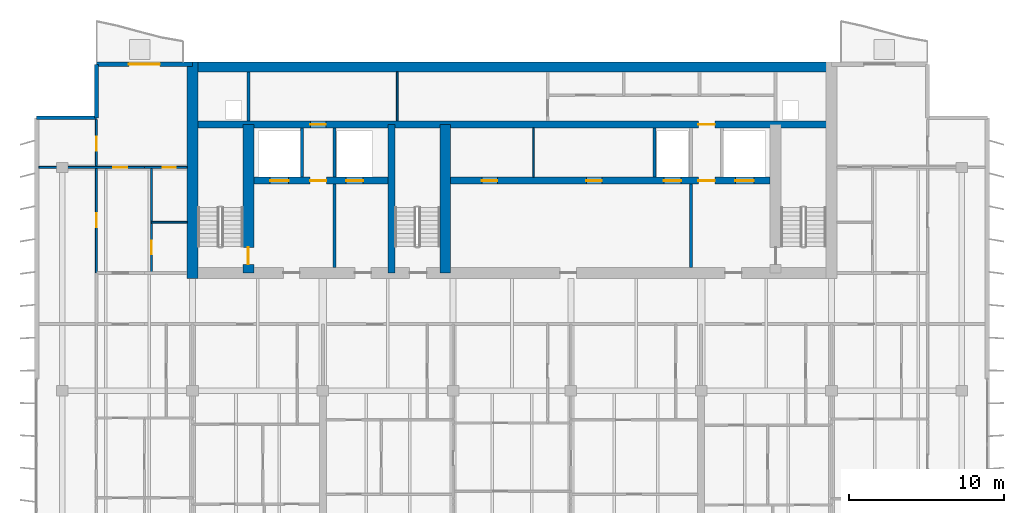
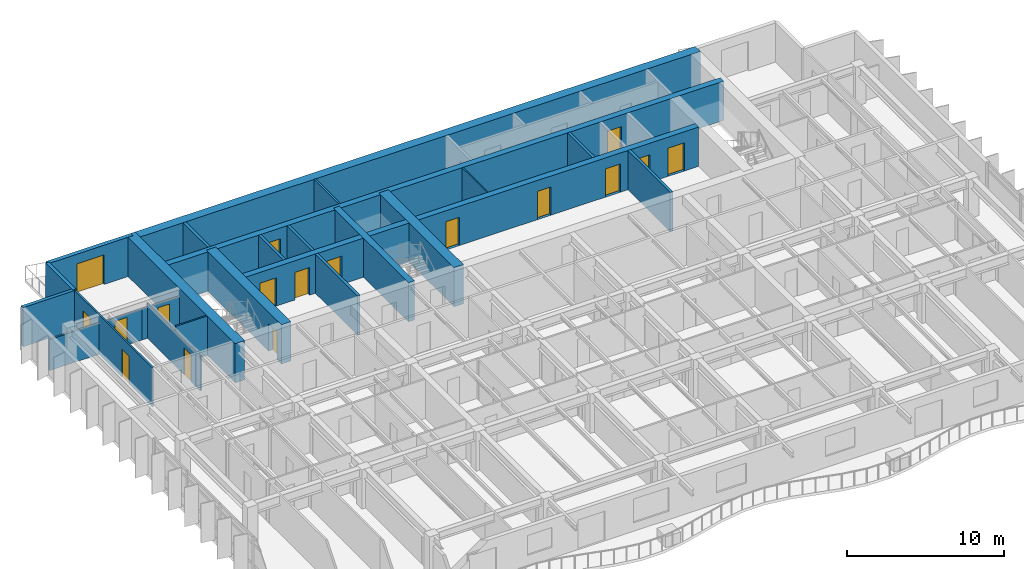
# One storey, part 10 of 17: 23 walls, 17 doors, 17 openings.
"""IFC4 building model written with IfcOpenShell, lengths in metres."""

from ifc_helpers import new_model, si_unit, direction, frame, frame_2d, origin, place, context, subcontext, project, spatial, rectangle, extrude, material, layer, layer_set, type_object, element, fill, save


model = new_model("IFC4")

# Units and contexts
model_context = context("Model", 3, precision=1e-05, world=origin(), true_north=direction((0.0, 1.0)))
body_context = subcontext(model_context, "Body", "Model", "MODEL_VIEW")
ifc_project = project(units=[si_unit("LENGTHUNIT", "METRE"), si_unit("AREAUNIT", "SQUARE_METRE"), si_unit("VOLUMEUNIT", "CUBIC_METRE"), si_unit("PLANEANGLEUNIT", "RADIAN"), si_unit("MASSUNIT", "GRAM", prefix="KILO")], contexts=[model_context])

# Site, building, storey
site_placement = place(None, origin())
site = spatial("IfcSite", under=ifc_project, at=site_placement, CompositionType="ELEMENT")
building_placement = place(site_placement, origin())
building = spatial("IfcBuilding", under=site, at=building_placement, Name="Caelmar Bay Residences", CompositionType="ELEMENT")
storey_placement = place(building_placement, frame((0.0, 0.0, 243.0)))
storey = spatial("IfcBuildingStorey", under=building, at=storey_placement, Name="L68", CompositionType="ELEMENT", Elevation=243.0)

# Wall
ifc_material_1 = material(Name="Concrete f'c 55 MPa (8,000 psi)", Category="concrete")
ifc_layer_1 = layer(ifc_material_1, 0.699951171875)
ifc_layer_set_1 = layer_set([ifc_layer_1], Name="Concrete f'c 55 MPa (8,000 psi)")
wall_type_1 = type_object("IfcWallType", Name="SW-COR-700", PredefinedType="SHEAR", material=ifc_layer_set_1)
wall_1_placement = place(storey_placement, frame((18.300048828125, 36.64990234375, 0.0), z_axis=(0.0, 0.0, 1.0), x_axis=(0.0, 1.0, 0.0)))
element("IfcWall", 1, at=wall_1_placement, inside=storey, type_object=wall_type_1, Name="L68 Rear Core West Shear Wall", PredefinedType="SHEAR", context=body_context, shape_type="SweptSolid", body=[
    extrude(rectangle(XDim=13.9501953125, YDim=0.699951171875, at=frame_2d((6.97509765625, 0.0))), origin(), (0.0, 0.0, 1.0), 3.050048828125),
])

# Wall, opening, door
wall_2_placement = place(storey_placement, frame((21.89990234375, 37.0, 0.0), z_axis=(0.0, 0.0, 1.0), x_axis=(0.0, 1.0, 0.0)))
wall_2 = element("IfcWall", 2, at=wall_2_placement, inside=storey, type_object=wall_type_1, Name="L68 Core Structural Web Wall ST1E", PredefinedType="SHEAR", context=body_context, shape_type="SweptSolid", body=[
    extrude(rectangle(XDim=9.574951171875, YDim=0.699951171875, at=frame_2d((4.78759765625, 0.0))), origin(), (0.0, 0.0, 1.0), 3.050048828125),
])
opening_1_placement = place(wall_2_placement, frame((0.550048828125, 0.0, 0.0)))
opening_1 = element("IfcOpeningElement", 3, at=opening_1_placement, cuts=wall_2, Name="Opening D-L68-107", PredefinedType="OPENING", context=body_context, shape_type="SweptSolid", body=[
    extrude(rectangle(XDim=1.10009765625, YDim=2.14990234375, at=frame_2d((0.550048828125, 1.074951171875))), frame((0.0, 0.35986328125, 0.0), z_axis=(0.0, -1.0, 0.0), x_axis=(1.0, 0.0, 0.0)), (0.0, 0.0, 1.0), 0.719970703125),
])
ifc_material_2 = material(Name="Fire-rated steel and walnut architectural door assembly", Category="steel")
ifc_layer_2 = layer(ifc_material_2, 0.050048828125)
ifc_layer_set_2 = layer_set([ifc_layer_2], Name="Fire-rated steel and walnut architectural door assembly")
door_type_1 = type_object("IfcDoorType", Name="D-STAIR-1100", OperationType="NOTDEFINED", PredefinedType="DOOR", material=ifc_layer_set_2)
door_1_placement = place(opening_1_placement, origin())
door_1 = element("IfcDoor", 4, at=door_1_placement, inside=storey, type_object=door_type_1, Name="L68 Firefighting Lobby West Door", OperationType="SINGLE_SWING_LEFT", OverallHeight=2.14990234375, OverallWidth=1.10009765625, PredefinedType="DOOR", context=body_context, shape_type="SweptSolid", body=[
    extrude(rectangle(XDim=1.10009765625, YDim=2.14990234375, at=frame_2d((0.550048828125, 1.074951171875))), frame((0.0, 0.02490234375, 0.0), z_axis=(0.0, -1.0, 0.0), x_axis=(1.0, 0.0, 0.0)), (0.0, 0.0, 1.0), 0.050048828125),
])
fill(opening_1, door_1)

# Walls
wall_3_placement = place(storey_placement, frame((34.60009765625, 37.0, 0.0), z_axis=(0.0, 0.0, 1.0), x_axis=(0.0, 1.0, 0.0)))
element("IfcWall", 5, at=wall_3_placement, inside=storey, type_object=wall_type_1, Name="L68 Core Structural Web Wall ST3E", PredefinedType="SHEAR", context=body_context, shape_type="SweptSolid", body=[
    extrude(rectangle(XDim=9.574951171875, YDim=0.699951171875, at=frame_2d((4.78759765625, 0.0))), origin(), (0.0, 0.0, 1.0), 3.050048828125),
])
ifc_layer_3 = layer(ifc_material_1, 0.64990234375)
ifc_layer_set_3 = layer_set([ifc_layer_3], Name="Concrete f'c 55 MPa (8,000 psi)")
wall_type_2 = type_object("IfcWallType", Name="SW-CORN-650", PredefinedType="SHEAR", material=ifc_layer_set_3)
wall_4_placement = place(storey_placement, frame((17.949951171875, 50.27490234375, 0.0), z_axis=(0.0, 0.0, 1.0), x_axis=(1.0, 0.0, 0.0)))
element("IfcWall", 6, at=wall_4_placement, inside=storey, type_object=wall_type_2, Name="L68 Rear Core North Shear Wall", PredefinedType="SHEAR", context=body_context, shape_type="SweptSolid", body=[
    extrude(rectangle(XDim=41.900146484375, YDim=0.64990234375, at=frame_2d((20.9501953125, 0.0))), origin(), (0.0, 0.0, 1.0), 3.050048828125),
])
ifc_material_3 = material(Name="Concrete f'c 70 MPa (10,000 psi)", Category="concrete")
ifc_layer_4 = layer(ifc_material_3, 0.449951171875)
ifc_layer_set_4 = layer_set([ifc_layer_4], Name="Concrete f'c 70 MPa (10,000 psi)")
wall_type_3 = type_object("IfcWallType", Name="SW-WEB-450", PredefinedType="SHEAR", material=ifc_layer_set_4)
wall_5_placement = place(storey_placement, frame((31.125, 37.0, 0.0), z_axis=(0.0, 0.0, 1.0), x_axis=(0.0, 1.0, 0.0)))
element("IfcWall", 7, at=wall_5_placement, inside=storey, type_object=wall_type_3, Name="L68 Core Structural Web Wall ST3W", PredefinedType="SHEAR", context=body_context, shape_type="SweptSolid", body=[
    extrude(rectangle(XDim=9.574951171875, YDim=0.449951171875, at=frame_2d((4.78759765625, 0.0))), origin(), (0.0, 0.0, 1.0), 3.050048828125),
])

# Wall, openings, doors
wall_6_placement = place(storey_placement, frame((22.25, 42.949951171875, 0.0), z_axis=(0.0, 0.0, 1.0), x_axis=(1.0, 0.0, 0.0)))
wall_6 = element("IfcWall", 8, at=wall_6_placement, inside=storey, type_object=wall_type_3, Name="L68 Core Structural Web Wall LFR", PredefinedType="SHEAR", context=body_context, shape_type="SweptSolid", body=[
    extrude(rectangle(XDim=33.300048828125, YDim=0.449951171875, at=frame_2d((16.64990234375, 0.0))), origin(), (0.0, 0.0, 1.0), 3.050048828125),
])
opening_2_placement = place(wall_6_placement, frame((1.050048828125, 0.0, 0.0)))
opening_2 = element("IfcOpeningElement", 9, at=opening_2_placement, cuts=wall_6, Name="Opening LD2", PredefinedType="OPENING", context=body_context, shape_type="SweptSolid", body=[
    extrude(rectangle(XDim=1.199951171875, YDim=2.199951171875, at=frame_2d((0.60009765625, 1.10009765625))), frame((0.0, 0.23486328125, 0.0), z_axis=(0.0, -1.0, 0.0), x_axis=(1.0, 0.0, 0.0)), (0.0, 0.0, 1.0), 0.469970703125),
])
opening_3_placement = place(wall_6_placement, frame((31.050048828125, 0.0, 0.0)))
opening_3 = element("IfcOpeningElement", 10, at=opening_3_placement, cuts=wall_6, Name="Opening LD2", PredefinedType="OPENING", context=body_context, shape_type="SweptSolid", body=[
    extrude(rectangle(XDim=1.199951171875, YDim=2.199951171875, at=frame_2d((0.60009765625, 1.10009765625))), frame((0.0, 0.23486328125, 0.0), z_axis=(0.0, -1.0, 0.0), x_axis=(1.0, 0.0, 0.0)), (0.0, 0.0, 1.0), 0.469970703125),
])
opening_4_placement = place(wall_6_placement, frame((26.449951171875, 0.0, 0.0)))
opening_4 = element("IfcOpeningElement", 11, at=opening_4_placement, cuts=wall_6, Name="Opening LD1", PredefinedType="OPENING", context=body_context, shape_type="SweptSolid", body=[
    extrude(rectangle(XDim=1.10009765625, YDim=2.199951171875, at=frame_2d((0.550048828125, 1.10009765625))), frame((0.0, 0.23486328125, 0.0), z_axis=(0.0, -1.0, 0.0), x_axis=(1.0, 0.0, 0.0)), (0.0, 0.0, 1.0), 0.469970703125),
])
opening_5_placement = place(wall_6_placement, frame((5.949951171875, 0.0, 0.0)))
opening_5 = element("IfcOpeningElement", 12, at=opening_5_placement, cuts=wall_6, Name="Opening LD1", PredefinedType="OPENING", context=body_context, shape_type="SweptSolid", body=[
    extrude(rectangle(XDim=1.10009765625, YDim=2.199951171875, at=frame_2d((0.550048828125, 1.10009765625))), frame((0.0, 0.23486328125, 0.0), z_axis=(0.0, -1.0, 0.0), x_axis=(1.0, 0.0, 0.0)), (0.0, 0.0, 1.0), 0.469970703125),
])
opening_6_placement = place(wall_6_placement, frame((3.625, 0.0, 0.0)))
opening_6 = element("IfcOpeningElement", 13, at=opening_6_placement, cuts=wall_6, Name="Opening D-L68-108", PredefinedType="OPENING", context=body_context, shape_type="SweptSolid", body=[
    extrude(rectangle(XDim=1.050048828125, YDim=2.14990234375, at=frame_2d((0.52490234375, 1.074951171875))), frame((0.0, 0.23486328125, 0.0), z_axis=(0.0, -1.0, 0.0), x_axis=(1.0, 0.0, 0.0)), (0.0, 0.0, 1.0), 0.469970703125),
])
opening_7_placement = place(wall_6_placement, frame((28.675048828125, 0.0, 0.0)))
opening_7 = element("IfcOpeningElement", 14, at=opening_7_placement, cuts=wall_6, Name="Opening D-L68-111", PredefinedType="OPENING", context=body_context, shape_type="SweptSolid", body=[
    extrude(rectangle(XDim=1.050048828125, YDim=2.14990234375, at=frame_2d((0.52490234375, 1.074951171875))), frame((0.0, 0.23486328125, 0.0), z_axis=(0.0, -1.0, 0.0), x_axis=(1.0, 0.0, 0.0)), (0.0, 0.0, 1.0), 0.469970703125),
])
opening_8_placement = place(wall_6_placement, frame((14.699951171875, 0.0, 0.0)))
opening_8 = element("IfcOpeningElement", 15, at=opening_8_placement, cuts=wall_6, Name="Opening D-L68-114", PredefinedType="OPENING", context=body_context, shape_type="SweptSolid", body=[
    extrude(rectangle(XDim=1.0, YDim=2.199951171875, at=frame_2d((0.5, 1.10009765625))), frame((0.0, 0.23486328125, 0.0), z_axis=(0.0, -1.0, 0.0), x_axis=(1.0, 0.0, 0.0)), (0.0, 0.0, 1.0), 0.469970703125),
])
opening_9_placement = place(wall_6_placement, frame((21.449951171875, 0.0, 0.0)))
opening_9 = element("IfcOpeningElement", 16, at=opening_9_placement, cuts=wall_6, Name="Opening D-L68-115", PredefinedType="OPENING", context=body_context, shape_type="SweptSolid", body=[
    extrude(rectangle(XDim=1.0, YDim=2.199951171875, at=frame_2d((0.5, 1.10009765625))), frame((0.0, 0.23486328125, 0.0), z_axis=(0.0, -1.0, 0.0), x_axis=(1.0, 0.0, 0.0)), (0.0, 0.0, 1.0), 0.469970703125),
])
ifc_layer_5 = layer(ifc_material_2, 0.050048828125)
ifc_layer_set_5 = layer_set([ifc_layer_5], Name="Fire-rated steel and walnut architectural door assembly")
door_type_2 = type_object("IfcDoorType", Name="D-FSAE-1050", OperationType="NOTDEFINED", PredefinedType="DOOR", material=ifc_layer_set_5)
door_2_placement = place(opening_6_placement, origin())
door_2 = element("IfcDoor", 17, at=door_2_placement, inside=storey, type_object=door_type_2, Name="L68 Firefighting Lobby West Door", OperationType="SINGLE_SWING_RIGHT", OverallHeight=2.14990234375, OverallWidth=1.050048828125, PredefinedType="DOOR", context=body_context, shape_type="SweptSolid", body=[
    extrude(rectangle(XDim=1.050048828125, YDim=2.14990234375, at=frame_2d((0.52490234375, 1.074951171875))), frame((0.0, 0.02490234375, 0.0), z_axis=(0.0, -1.0, 0.0), x_axis=(1.0, 0.0, 0.0)), (0.0, 0.0, 1.0), 0.050048828125),
])
fill(opening_6, door_2)
door_3_placement = place(opening_7_placement, origin())
door_3 = element("IfcDoor", 18, at=door_3_placement, inside=storey, type_object=door_type_2, Name="L68 Firefighting Lobby East Door", OperationType="SINGLE_SWING_LEFT", OverallHeight=2.14990234375, OverallWidth=1.050048828125, PredefinedType="DOOR", context=body_context, shape_type="SweptSolid", body=[
    extrude(rectangle(XDim=1.050048828125, YDim=2.14990234375, at=frame_2d((0.52490234375, 1.074951171875))), frame((0.0, 0.02490234375, 0.0), z_axis=(0.0, -1.0, 0.0), x_axis=(1.0, 0.0, 0.0)), (0.0, 0.0, 1.0), 0.050048828125),
])
fill(opening_7, door_3)
ifc_material_4 = material(Name="Brushed bronze stainless-steel fire-rated lift landing doors", Category="steel")
ifc_layer_6 = layer(ifc_material_4, 0.050048828125)
ifc_layer_set_6 = layer_set([ifc_layer_6], Name="Brushed bronze stainless-steel fire-rated lift landing doors")
door_type_3 = type_object("IfcDoorType", Name="D-LND-1100", OperationType="DOUBLE_DOOR_SLIDING", PredefinedType="DOOR", material=ifc_layer_set_6)
door_4_placement = place(opening_4_placement, origin())
door_4 = element("IfcDoor", 19, at=door_4_placement, inside=storey, type_object=door_type_3, Name="L68 LP6 Sliding Landing Door", OperationType="DOUBLE_DOOR_SLIDING", OverallHeight=2.199951171875, OverallWidth=1.10009765625, PredefinedType="DOOR", context=body_context, shape_type="SweptSolid", body=[
    extrude(rectangle(XDim=1.10009765625, YDim=2.199951171875, at=frame_2d((0.550048828125, 1.10009765625))), frame((0.0, 0.02490234375, 0.0), z_axis=(0.0, -1.0, 0.0), x_axis=(1.0, 0.0, 0.0)), (0.0, 0.0, 1.0), 0.050048828125),
])
fill(opening_4, door_4)
door_5_placement = place(opening_5_placement, origin())
door_5 = element("IfcDoor", 20, at=door_5_placement, inside=storey, type_object=door_type_3, Name="L68 LP7 Sliding Landing Door", OperationType="DOUBLE_DOOR_SLIDING", OverallHeight=2.199951171875, OverallWidth=1.10009765625, PredefinedType="DOOR", context=body_context, shape_type="SweptSolid", body=[
    extrude(rectangle(XDim=1.10009765625, YDim=2.199951171875, at=frame_2d((0.550048828125, 1.10009765625))), frame((0.0, 0.02490234375, 0.0), z_axis=(0.0, -1.0, 0.0), x_axis=(1.0, 0.0, 0.0)), (0.0, 0.0, 1.0), 0.050048828125),
])
fill(opening_5, door_5)
ifc_material_5 = material(Name="Brushed stainless-steel FSAE sliding landing door", Category="steel")
ifc_layer_7 = layer(ifc_material_5, 0.050048828125)
ifc_layer_set_7 = layer_set([ifc_layer_7], Name="Brushed stainless-steel FSAE sliding landing door")
door_type_4 = type_object("IfcDoorType", Name="D-LND-1200", OperationType="DOUBLE_DOOR_SLIDING", PredefinedType="DOOR", material=ifc_layer_set_7)
door_6_placement = place(opening_2_placement, origin())
door_6 = element("IfcDoor", 21, at=door_6_placement, inside=storey, type_object=door_type_4, Name="L68 LF1 Sliding Landing Door", OperationType="DOUBLE_DOOR_SLIDING", OverallHeight=2.199951171875, OverallWidth=1.199951171875, PredefinedType="DOOR", context=body_context, shape_type="SweptSolid", body=[
    extrude(rectangle(XDim=1.199951171875, YDim=2.199951171875, at=frame_2d((0.60009765625, 1.10009765625))), frame((0.0, 0.02490234375, 0.0), z_axis=(0.0, -1.0, 0.0), x_axis=(1.0, 0.0, 0.0)), (0.0, 0.0, 1.0), 0.050048828125),
])
fill(opening_2, door_6)
door_7_placement = place(opening_3_placement, origin())
door_7 = element("IfcDoor", 22, at=door_7_placement, inside=storey, type_object=door_type_4, Name="L68 LF2 Sliding Landing Door", OperationType="DOUBLE_DOOR_SLIDING", OverallHeight=2.199951171875, OverallWidth=1.199951171875, PredefinedType="DOOR", context=body_context, shape_type="SweptSolid", body=[
    extrude(rectangle(XDim=1.199951171875, YDim=2.199951171875, at=frame_2d((0.60009765625, 1.10009765625))), frame((0.0, 0.02490234375, 0.0), z_axis=(0.0, -1.0, 0.0), x_axis=(1.0, 0.0, 0.0)), (0.0, 0.0, 1.0), 0.050048828125),
])
fill(opening_3, door_7)
ifc_layer_8 = layer(ifc_material_2, 0.050048828125)
ifc_layer_set_8 = layer_set([ifc_layer_8], Name="Fire-rated steel and walnut architectural door assembly")
door_type_5 = type_object("IfcDoorType", Name="D-UNIT-1000", OperationType="NOTDEFINED", PredefinedType="DOOR", material=ifc_layer_set_8)
door_8_placement = place(opening_8_placement, origin())
door_8 = element("IfcDoor", 23, at=door_8_placement, inside=storey, type_object=door_type_5, Name="L68 Executive Study Door", OperationType="SINGLE_SWING_RIGHT", OverallHeight=2.199951171875, OverallWidth=1.0, PredefinedType="DOOR", context=body_context, shape_type="SweptSolid", body=[
    extrude(rectangle(XDim=1.0, YDim=2.199951171875, at=frame_2d((0.5, 1.10009765625))), frame((0.0, 0.02490234375, 0.0), z_axis=(0.0, -1.0, 0.0), x_axis=(1.0, 0.0, 0.0)), (0.0, 0.0, 1.0), 0.050048828125),
])
fill(opening_8, door_8)
door_9_placement = place(opening_9_placement, origin())
door_9 = element("IfcDoor", 24, at=door_9_placement, inside=storey, type_object=door_type_5, Name="L68 Residents Reading Lounge Door", OperationType="SINGLE_SWING_LEFT", OverallHeight=2.199951171875, OverallWidth=1.0, PredefinedType="DOOR", context=body_context, shape_type="SweptSolid", body=[
    extrude(rectangle(XDim=1.0, YDim=2.199951171875, at=frame_2d((0.5, 1.10009765625))), frame((0.0, 0.02490234375, 0.0), z_axis=(0.0, -1.0, 0.0), x_axis=(1.0, 0.0, 0.0)), (0.0, 0.0, 1.0), 0.050048828125),
])
fill(opening_9, door_9)

wall_7_placement = place(storey_placement, frame((18.300048828125, 46.574951171875, 0.0), z_axis=(0.0, 0.0, 1.0), x_axis=(1.0, 0.0, 0.0)))
wall_7 = element("IfcWall", 25, at=wall_7_placement, inside=storey, type_object=wall_type_3, Name="L68 Core Structural Web Wall SRVS", PredefinedType="SHEAR", context=body_context, shape_type="SweptSolid", body=[
    extrude(rectangle(XDim=41.199951171875, YDim=0.449951171875, at=frame_2d((20.60009765625, 0.0))), origin(), (0.0, 0.0, 1.0), 3.050048828125),
])
opening_10_placement = place(wall_7_placement, frame((7.60009765625, 0.0, 0.0)))
opening_10 = element("IfcOpeningElement", 26, at=opening_10_placement, cuts=wall_7, Name="Opening D-L68-116", PredefinedType="OPENING", context=body_context, shape_type="SweptSolid", body=[
    extrude(rectangle(XDim=1.0, YDim=2.199951171875, at=frame_2d((0.5, 1.10009765625))), frame((0.0, 0.23486328125, 0.0), z_axis=(0.0, -1.0, 0.0), x_axis=(1.0, 0.0, 0.0)), (0.0, 0.0, 1.0), 0.469970703125),
])
opening_11_placement = place(wall_7_placement, frame((32.625, 0.0, 0.0)))
opening_11 = element("IfcOpeningElement", 27, at=opening_11_placement, cuts=wall_7, Name="Opening D-L68-117", PredefinedType="OPENING", context=body_context, shape_type="SweptSolid", body=[
    extrude(rectangle(XDim=1.050048828125, YDim=2.14990234375, at=frame_2d((0.52490234375, 1.074951171875))), frame((0.0, 0.23486328125, 0.0), z_axis=(0.0, -1.0, 0.0), x_axis=(1.0, 0.0, 0.0)), (0.0, 0.0, 1.0), 0.469970703125),
])
door_10_placement = place(opening_11_placement, origin())
door_10 = element("IfcDoor", 28, at=door_10_placement, inside=storey, type_object=door_type_2, Name="L68 East Core Service Corridor Door", OperationType="SINGLE_SWING_LEFT", OverallHeight=2.14990234375, OverallWidth=1.050048828125, PredefinedType="DOOR", context=body_context, shape_type="SweptSolid", body=[
    extrude(rectangle(XDim=1.050048828125, YDim=2.14990234375, at=frame_2d((0.52490234375, 1.074951171875))), frame((0.0, 0.02490234375, 0.0), z_axis=(0.0, -1.0, 0.0), x_axis=(1.0, 0.0, 0.0)), (0.0, 0.0, 1.0), 0.050048828125),
])
fill(opening_11, door_10)
door_11_placement = place(opening_10_placement, origin())
door_11 = element("IfcDoor", 29, at=door_11_placement, inside=storey, type_object=door_type_5, Name="L68 Package Concierge Office Door", OperationType="SINGLE_SWING_RIGHT", OverallHeight=2.199951171875, OverallWidth=1.0, PredefinedType="DOOR", context=body_context, shape_type="SweptSolid", body=[
    extrude(rectangle(XDim=1.0, YDim=2.199951171875, at=frame_2d((0.5, 1.10009765625))), frame((0.0, 0.02490234375, 0.0), z_axis=(0.0, -1.0, 0.0), x_axis=(1.0, 0.0, 0.0)), (0.0, 0.0, 1.0), 0.050048828125),
])
fill(opening_10, door_11)

# Walls
ifc_material_6 = material(Name="Precast concrete f'c 40 MPa (6,000 psi)", Category="concrete")
ifc_layer_9 = layer(ifc_material_6, 0.25)
ifc_layer_set_9 = layer_set([ifc_layer_9], Name="Precast concrete f'c 40 MPa (6,000 psi)")
wall_type_4 = type_object("IfcWallType", Name="W-EXT-250", PredefinedType="ELEMENTEDWALL", material=ifc_layer_set_9)
wall_8_placement = place(storey_placement, frame((8.25, 47.0, 0.0), z_axis=(0.0, 0.0, 1.0), x_axis=(1.0, 0.0, 0.0)))
element("IfcWall", 30, at=wall_8_placement, inside=storey, type_object=wall_type_4, Name="L68 NNW-H Notch Wall", PredefinedType="ELEMENTEDWALL", context=body_context, shape_type="SweptSolid", body=[
    extrude(rectangle(XDim=3.85009765625, YDim=0.25, at=frame_2d((1.925048828125, 0.0))), origin(), (0.0, 0.0, 1.0), 3.050048828125),
])
wall_9_placement = place(storey_placement, frame((12.10009765625, 47.0, 0.0), z_axis=(0.0, 0.0, 1.0), x_axis=(0.0, 1.0, 0.0)))
element("IfcWall", 31, at=wall_9_placement, inside=storey, type_object=wall_type_4, Name="L68 NNW-V Notch Wall", PredefinedType="ELEMENTEDWALL", context=body_context, shape_type="SweptSolid", body=[
    extrude(rectangle(XDim=3.449951171875, YDim=0.25, at=frame_2d((1.72509765625, 0.0))), origin(), (0.0, 0.0, 1.0), 3.050048828125),
])

# Wall, opening, door
ifc_layer_10 = layer(ifc_material_6, 0.300048828125)
ifc_layer_set_10 = layer_set([ifc_layer_10], Name="Precast concrete f'c 40 MPa (6,000 psi)")
wall_type_5 = type_object("IfcWallType", Name="W-EXT-300", PredefinedType="STANDARD", material=ifc_layer_set_10)
wall_10_placement = place(storey_placement, frame((12.10009765625, 50.449951171875, 0.0), z_axis=(0.0, 0.0, 1.0), x_axis=(1.0, 0.0, 0.0)))
wall_10 = element("IfcWall", 32, at=wall_10_placement, inside=storey, type_object=wall_type_5, Name="L68 North-West Wing Exterior Wall", PredefinedType="STANDARD", context=body_context, shape_type="SweptSolid", body=[
    extrude(rectangle(XDim=6.199951171875, YDim=0.300048828125, at=frame_2d((3.10009765625, 0.0))), origin(), (0.0, 0.0, 1.0), 3.050048828125),
])
opening_12_placement = place(wall_10_placement, frame((2.10009765625, 0.0, 0.0)))
opening_12 = element("IfcOpeningElement", 33, at=opening_12_placement, cuts=wall_10, Name="Opening L68-BDNW", PredefinedType="OPENING", context=body_context, shape_type="SweptSolid", body=[
    extrude(rectangle(XDim=2.0, YDim=2.300048828125, at=frame_2d((1.0, 1.14990234375))), frame((0.0, 0.159912109375, 0.0), z_axis=(0.0, -1.0, 0.0), x_axis=(1.0, 0.0, 0.0)), (0.0, 0.0, 1.0), 0.320068359375),
])
ifc_material_7 = material(Name="Anodised bronze thermally broken sliding glass door", Category="glass")
ifc_layer_11 = layer(ifc_material_7, 0.050048828125)
ifc_layer_set_11 = layer_set([ifc_layer_11], Name="Anodised bronze thermally broken sliding glass door")
door_type_6 = type_object("IfcDoorType", Name="D-BAL-2000", OperationType="DOUBLE_DOOR_SLIDING", PredefinedType="DOOR", material=ifc_layer_set_11)
door_12_placement = place(opening_12_placement, origin())
door_12 = element("IfcDoor", 34, at=door_12_placement, inside=storey, type_object=door_type_6, Name="L68 North-West Balcony Door", OperationType="DOUBLE_DOOR_SLIDING", OverallHeight=2.300048828125, OverallWidth=2.0, PredefinedType="DOOR", context=body_context, shape_type="SweptSolid", body=[
    extrude(rectangle(XDim=2.0, YDim=2.300048828125, at=frame_2d((1.0, 1.14990234375))), frame((0.0, 0.02490234375, 0.0), z_axis=(0.0, -1.0, 0.0), x_axis=(1.0, 0.0, 0.0)), (0.0, 0.0, 1.0), 0.050048828125),
])
fill(opening_12, door_12)

# Walls
ifc_material_8 = material(Name="Fire-rated masonry and gypsum shaftliner assembly 200 mm", Category="masonry")
ifc_layer_12 = layer(ifc_material_8, 0.199951171875)
ifc_layer_set_12 = layer_set([ifc_layer_12], Name="Fire-rated masonry and gypsum shaftliner assembly 200 mm")
wall_type_6 = type_object("IfcWallType", Name="W-FSAE-200", PredefinedType="PARTITIONING", material=ifc_layer_set_12)
wall_11_placement = place(storey_placement, frame((21.89990234375, 46.794921875, 0.0), z_axis=(0.0, 0.0, 1.0), x_axis=(0.0, 1.0, 0.0)))
element("IfcWall", 35, at=wall_11_placement, inside=storey, type_object=wall_type_6, Name="L68 Partition Wall V021", PredefinedType="PARTITIONING", context=body_context, shape_type="SweptSolid", body=[
    extrude(rectangle(XDim=3.16015625, YDim=0.199951171875, at=frame_2d((1.580078125, 0.0))), origin(), (0.0, 0.0, 1.0), 3.050048828125),
])
wall_12_placement = place(storey_placement, frame((25.35009765625, 43.169921875, 0.0), z_axis=(0.0, 0.0, 1.0), x_axis=(0.0, 1.0, 0.0)))
element("IfcWall", 36, at=wall_12_placement, inside=storey, type_object=wall_type_6, Name="L68 Partition Wall V028", PredefinedType="PARTITIONING", context=body_context, shape_type="SweptSolid", body=[
    extrude(rectangle(XDim=3.18505859375, YDim=0.199951171875, at=frame_2d((1.592529296875, 0.0))), origin(), (0.0, 0.0, 1.0), 3.050048828125),
])
wall_13_placement = place(storey_placement, frame((27.449951171875, 37.344970703125, 0.0), z_axis=(0.0, 0.0, 1.0), x_axis=(0.0, 1.0, 0.0)))
element("IfcWall", 37, at=wall_13_placement, inside=storey, type_object=wall_type_6, Name="L68 Partition Wall V032", PredefinedType="PARTITIONING", context=body_context, shape_type="SweptSolid", body=[
    extrude(rectangle(XDim=5.385009765625, YDim=0.199951171875, at=frame_2d((2.6923828125, 0.0))), origin(), (0.0, 0.0, 1.0), 3.050048828125),
])
for number, where, z_axis, x_axis, name in (
    (38, (27.449951171875, 43.169921875, 0.0), (0.0, 0.0, 1.0), (0.0, 1.0, 0.0), "L68 Partition Wall V033"),
    (39, (48.10009765625, 43.169921875, 0.0), (0.0, 0.0, 1.0), (0.0, 1.0, 0.0), "L68 Partition Wall V055"),
):
    element("IfcWall", number, at=place(storey_placement, frame(where, z_axis=z_axis, x_axis=x_axis)), inside=storey, type_object=wall_type_6, Name=name, PredefinedType="PARTITIONING", context=body_context, shape_type="SweptSolid", body=[
        extrude(rectangle(XDim=3.18505859375, YDim=0.199951171875, at=frame_2d((1.592529296875, 0.0))), origin(), (0.0, 0.0, 1.0), 3.050048828125),
    ])
wall_14_placement = place(storey_placement, frame((50.449951171875, 37.344970703125, 0.0), z_axis=(0.0, 0.0, 1.0), x_axis=(0.0, 1.0, 0.0)))
element("IfcWall", 40, at=wall_14_placement, inside=storey, type_object=wall_type_6, Name="L68 Partition Wall V057", PredefinedType="PARTITIONING", context=body_context, shape_type="SweptSolid", body=[
    extrude(rectangle(XDim=5.385009765625, YDim=0.199951171875, at=frame_2d((2.6923828125, 0.0))), origin(), (0.0, 0.0, 1.0), 3.050048828125),
])
ifc_material_9 = material(Name="Anodised bronze framed acoustic sliding study partition 100 mm")
ifc_layer_13 = layer(ifc_material_9, 0.10009765625)
ifc_layer_set_13 = layer_set([ifc_layer_13], Name="Anodised bronze framed acoustic sliding study partition 100 mm")
wall_type_7 = type_object("IfcWallType", Name="W-MOV-100", PredefinedType="MOVABLE", material=ifc_layer_set_13)
wall_15_placement = place(storey_placement, frame((40.300048828125, 43.169921875, 0.0), z_axis=(0.0, 0.0, 1.0), x_axis=(0.0, 1.0, 0.0)))
element("IfcWall", 41, at=wall_15_placement, inside=storey, type_object=wall_type_7, Name="L68 Partition Wall V044", PredefinedType="MOVABLE", context=body_context, shape_type="SweptSolid", body=[
    extrude(rectangle(XDim=3.18505859375, YDim=0.10009765625, at=frame_2d((1.592529296875, 0.0))), origin(), (0.0, 0.0, 1.0), 3.050048828125),
])

# Wall, openings, doors
ifc_material_10 = material(Name="Acoustic metal-stud gypsum partition 120 mm")
ifc_layer_14 = layer(ifc_material_10, 0.1201171875)
ifc_layer_set_14 = layer_set([ifc_layer_14], Name="Acoustic metal-stud gypsum partition 120 mm")
wall_type_8 = type_object("IfcWallType", Name="W-PRT-120", PredefinedType="PARTITIONING", material=ifc_layer_set_14)
wall_16_placement = place(storey_placement, frame((12.10009765625, 37.0048828125, 0.0), z_axis=(0.0, 0.0, 1.0), x_axis=(0.0, 1.0, 0.0)))
wall_16 = element("IfcWall", 42, at=wall_16_placement, inside=storey, type_object=wall_type_8, Name="L68 Partition Wall V007", PredefinedType="PARTITIONING", context=body_context, shape_type="SweptSolid", body=[
    extrude(rectangle(XDim=9.875, YDim=0.1201171875, at=frame_2d((4.9375, 0.0))), origin(), (0.0, 0.0, 1.0), 3.050048828125),
])
opening_13_placement = place(wall_16_placement, frame((2.947509765625, 0.0, 0.0)))
opening_13 = element("IfcOpeningElement", 43, at=opening_13_placement, cuts=wall_16, Name="Opening D-L68-166", PredefinedType="OPENING", context=body_context, shape_type="SweptSolid", body=[
    extrude(rectangle(XDim=0.89990234375, YDim=2.14990234375, at=frame_2d((0.449951171875, 1.074951171875))), frame((0.0, 0.070068359375, 0.0), z_axis=(0.0, -1.0, 0.0), x_axis=(1.0, 0.0, 0.0)), (0.0, 0.0, 1.0), 0.14013671875),
])
opening_14_placement = place(wall_16_placement, frame((7.885009765625, 0.0, 0.0)))
opening_14 = element("IfcOpeningElement", 44, at=opening_14_placement, cuts=wall_16, Name="Opening D-L68-167", PredefinedType="OPENING", context=body_context, shape_type="SweptSolid", body=[
    extrude(rectangle(XDim=0.89990234375, YDim=2.14990234375, at=frame_2d((0.449951171875, 1.074951171875))), frame((0.0, 0.070068359375, 0.0), z_axis=(0.0, -1.0, 0.0), x_axis=(1.0, 0.0, 0.0)), (0.0, 0.0, 1.0), 0.14013671875),
])
ifc_material_11 = material(Name="Solid walnut timber interior door leaf and frame", Category="wood")
ifc_layer_15 = layer(ifc_material_11, 0.050048828125)
ifc_layer_set_15 = layer_set([ifc_layer_15], Name="Solid walnut timber interior door leaf and frame")
door_type_7 = type_object("IfcDoorType", Name="D-ROOM-900", OperationType="NOTDEFINED", PredefinedType="DOOR", material=ifc_layer_set_15)
door_13_placement = place(opening_13_placement, origin())
door_13 = element("IfcDoor", 45, at=door_13_placement, inside=storey, type_object=door_type_7, Name="L68 Residence WA Sun Study Door", OperationType="SINGLE_SWING_RIGHT", OverallHeight=2.14990234375, OverallWidth=0.89990234375, PredefinedType="DOOR", context=body_context, shape_type="SweptSolid", body=[
    extrude(rectangle(XDim=0.89990234375, YDim=2.14990234375, at=frame_2d((0.449951171875, 1.074951171875))), frame((0.0, 0.02490234375, 0.0), z_axis=(0.0, -1.0, 0.0), x_axis=(1.0, 0.0, 0.0)), (0.0, 0.0, 1.0), 0.050048828125),
])
fill(opening_13, door_13)
door_14_placement = place(opening_14_placement, origin())
door_14 = element("IfcDoor", 46, at=door_14_placement, inside=storey, type_object=door_type_7, Name="L68 Residence WA North Sitting Alcove Door", OperationType="SINGLE_SWING_LEFT", OverallHeight=2.14990234375, OverallWidth=0.89990234375, PredefinedType="DOOR", context=body_context, shape_type="SweptSolid", body=[
    extrude(rectangle(XDim=0.89990234375, YDim=2.14990234375, at=frame_2d((0.449951171875, 1.074951171875))), frame((0.0, 0.02490234375, 0.0), z_axis=(0.0, -1.0, 0.0), x_axis=(1.0, 0.0, 0.0)), (0.0, 0.0, 1.0), 0.050048828125),
])
fill(opening_14, door_14)

# Wall, opening, door
wall_17_placement = place(storey_placement, frame((15.64990234375, 37.0, 0.0), z_axis=(0.0, 0.0, 1.0), x_axis=(0.0, 1.0, 0.0)))
wall_17 = element("IfcWall", 47, at=wall_17_placement, inside=storey, type_object=wall_type_8, Name="L68 Partition Wall V013", PredefinedType="PARTITIONING", context=body_context, shape_type="SweptSolid", body=[
    extrude(rectangle(XDim=6.800048828125, YDim=0.1201171875, at=frame_2d((3.39990234375, 0.0))), origin(), (0.0, 0.0, 1.0), 2.72509765625),
])
opening_15_placement = place(wall_17_placement, frame((1.20703125, 0.0, 0.0)))
opening_15 = element("IfcOpeningElement", 48, at=opening_15_placement, cuts=wall_17, Name="Opening D-L68-164", PredefinedType="OPENING", context=body_context, shape_type="SweptSolid", body=[
    extrude(rectangle(XDim=0.85009765625, YDim=2.10009765625, at=frame_2d((0.425048828125, 1.050048828125))), frame((0.0, 0.070068359375, 0.0), z_axis=(0.0, -1.0, 0.0), x_axis=(1.0, 0.0, 0.0)), (0.0, 0.0, 1.0), 0.14013671875),
])
ifc_layer_16 = layer(ifc_material_11, 0.050048828125)
ifc_layer_set_16 = layer_set([ifc_layer_16], Name="Solid walnut timber interior door leaf and frame")
door_type_8 = type_object("IfcDoorType", Name="D-BATH-850", OperationType="NOTDEFINED", PredefinedType="DOOR", material=ifc_layer_set_16)
door_15_placement = place(opening_15_placement, origin())
door_15 = element("IfcDoor", 49, at=door_15_placement, inside=storey, type_object=door_type_8, Name="L68 Residence WA Walk-In Closet Door", OperationType="SINGLE_SWING_RIGHT", OverallHeight=2.10009765625, OverallWidth=0.85009765625, PredefinedType="DOOR", context=body_context, shape_type="SweptSolid", body=[
    extrude(rectangle(XDim=0.85009765625, YDim=2.10009765625, at=frame_2d((0.425048828125, 1.050048828125))), frame((0.0, 0.02490234375, 0.0), z_axis=(0.0, -1.0, 0.0), x_axis=(1.0, 0.0, 0.0)), (0.0, 0.0, 1.0), 0.050048828125),
])
fill(opening_15, door_15)

# Walls
wall_18_placement = place(storey_placement, frame((31.5, 46.794921875, 0.0), z_axis=(0.0, 0.0, 1.0), x_axis=(0.0, 1.0, 0.0)))
element("IfcWall", 50, at=wall_18_placement, inside=storey, type_object=wall_type_8, Name="L68 Partition Wall V036", PredefinedType="PARTITIONING", context=body_context, shape_type="SweptSolid", body=[
    extrude(rectangle(XDim=3.16015625, YDim=0.1201171875, at=frame_2d((1.580078125, 0.0))), origin(), (0.0, 0.0, 1.0), 3.050048828125),
])
wall_19_placement = place(storey_placement, frame((15.64990234375, 40.263916015625, 0.0), z_axis=(0.0, 0.0, 1.0), x_axis=(1.0, 0.0, 0.0)))
element("IfcWall", 51, at=wall_19_placement, inside=storey, type_object=wall_type_8, Name="L68 Partition Wall H117", PredefinedType="PARTITIONING", context=body_context, shape_type="SweptSolid", body=[
    extrude(rectangle(XDim=2.30517578125, YDim=0.1201171875, at=frame_2d((1.152587890625, 0.0))), origin(), (0.0, 0.0, 1.0), 3.050048828125),
])

# Wall, opening, door
wall_20_placement = place(storey_placement, frame((8.39501953125, 43.800048828125, 0.0), z_axis=(0.0, 0.0, 1.0), x_axis=(1.0, 0.0, 0.0)))
wall_20 = element("IfcWall", 52, at=wall_20_placement, inside=storey, type_object=wall_type_8, Name="L68 Partition Wall H119", PredefinedType="PARTITIONING", context=body_context, shape_type="SweptSolid", body=[
    extrude(rectangle(XDim=6.802978515625, YDim=0.1201171875, at=frame_2d((3.4013671875, 0.0))), origin(), (0.0, 0.0, 1.0), 2.41796875),
])
opening_16_placement = place(wall_20_placement, frame((4.803955078125, 0.0, 0.0)))
opening_16 = element("IfcOpeningElement", 53, at=opening_16_placement, cuts=wall_20, Name="Opening D-L68-163", PredefinedType="OPENING", context=body_context, shape_type="SweptSolid", body=[
    extrude(rectangle(XDim=0.89990234375, YDim=2.14990234375, at=frame_2d((0.449951171875, 1.074951171875))), frame((0.0, 0.070068359375, 0.0), z_axis=(0.0, -1.0, 0.0), x_axis=(1.0, 0.0, 0.0)), (0.0, 0.0, 1.0), 0.14013671875),
])
door_16_placement = place(opening_16_placement, origin())
door_16 = element("IfcDoor", 54, at=door_16_placement, inside=storey, type_object=door_type_7, Name="L68 Residence WA Studio Living and Sleeping Room Door", OperationType="SINGLE_SWING_LEFT", OverallHeight=2.14990234375, OverallWidth=0.89990234375, PredefinedType="DOOR", context=body_context, shape_type="SweptSolid", body=[
    extrude(rectangle(XDim=0.89990234375, YDim=2.14990234375, at=frame_2d((0.449951171875, 1.074951171875))), frame((0.0, 0.02490234375, 0.0), z_axis=(0.0, -1.0, 0.0), x_axis=(1.0, 0.0, 0.0)), (0.0, 0.0, 1.0), 0.050048828125),
])
fill(opening_16, door_16)

wall_21_placement = place(storey_placement, frame((15.202880859375, 43.800048828125, 0.0), z_axis=(0.0, 0.0, 1.0), x_axis=(1.0, 0.0, 0.0)))
wall_21 = element("IfcWall", 55, at=wall_21_placement, inside=storey, type_object=wall_type_8, Name="L68 Partition Wall H120", PredefinedType="PARTITIONING", context=body_context, shape_type="SweptSolid", body=[
    extrude(rectangle(XDim=2.752197265625, YDim=0.1201171875, at=frame_2d((1.3759765625, 0.0))), origin(), (0.0, 0.0, 1.0), 2.41796875),
])
opening_17_placement = place(wall_21_placement, frame((1.174560546875, 0.0, 0.0)))
opening_17 = element("IfcOpeningElement", 56, at=opening_17_placement, cuts=wall_21, Name="Opening D-L68-165", PredefinedType="OPENING", context=body_context, shape_type="SweptSolid", body=[
    extrude(rectangle(XDim=0.85009765625, YDim=2.10009765625, at=frame_2d((0.425048828125, 1.050048828125))), frame((0.0, 0.070068359375, 0.0), z_axis=(0.0, -1.0, 0.0), x_axis=(1.0, 0.0, 0.0)), (0.0, 0.0, 1.0), 0.14013671875),
])
door_17_placement = place(opening_17_placement, origin())
door_17 = element("IfcDoor", 57, at=door_17_placement, inside=storey, type_object=door_type_8, Name="L68 Residence WA Bathroom Door", OperationType="SINGLE_SWING_LEFT", OverallHeight=2.10009765625, OverallWidth=0.85009765625, PredefinedType="DOOR", context=body_context, shape_type="SweptSolid", body=[
    extrude(rectangle(XDim=0.85009765625, YDim=2.10009765625, at=frame_2d((0.425048828125, 1.050048828125))), frame((0.0, 0.02490234375, 0.0), z_axis=(0.0, -1.0, 0.0), x_axis=(1.0, 0.0, 0.0)), (0.0, 0.0, 1.0), 0.050048828125),
])
fill(opening_17, door_17)

save(model, "model.ifc")
